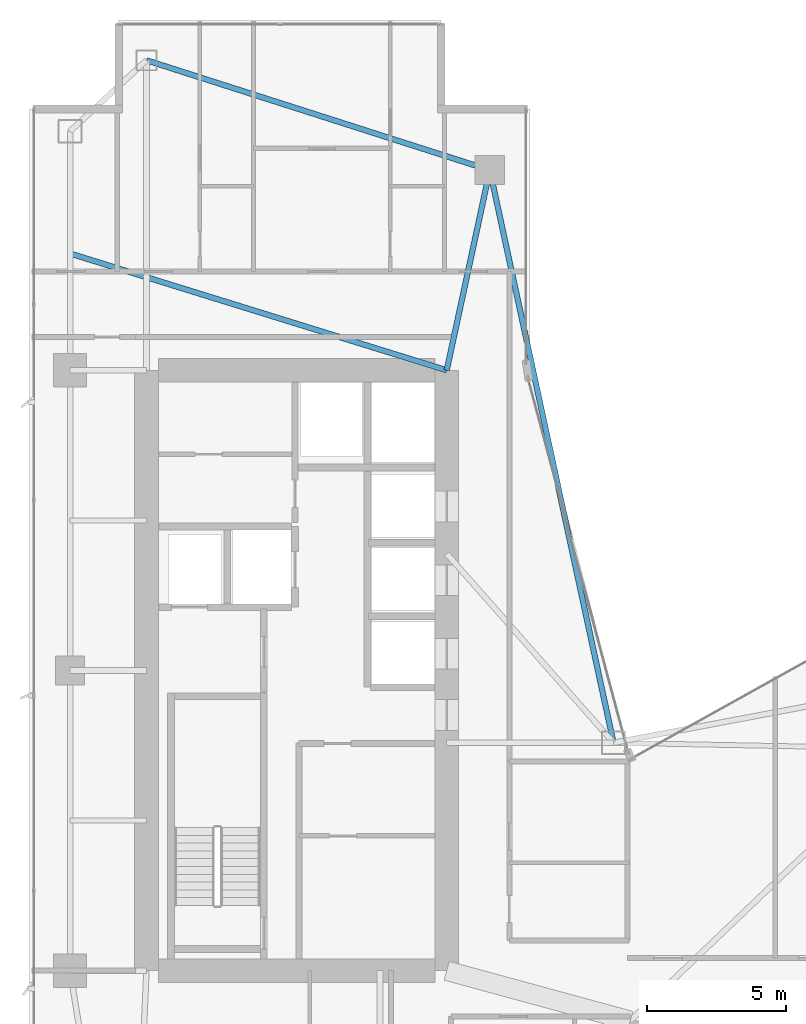
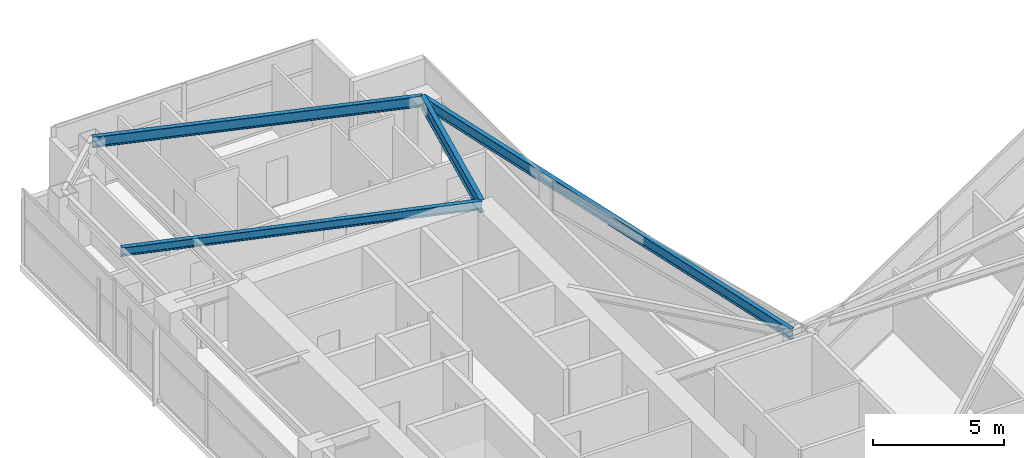
# One storey, part 17 of 28: 4 beams.
"""IFC4 building model written with IfcOpenShell, lengths in metres."""

from ifc_helpers import new_model, si_unit, direction, frame, origin, origin_2d, place, context, subcontext, project, spatial, i_section, extrude, material, material_profile, profile_set, type_object, element, save


model = new_model("IFC4")

# Units and contexts
model_context = context("Model", 3, precision=1e-05, world=origin(), true_north=direction((0.0, 1.0)))
body_context = subcontext(model_context, "Body", "Model", "MODEL_VIEW")
ifc_project = project(units=[si_unit("LENGTHUNIT", "METRE"), si_unit("AREAUNIT", "SQUARE_METRE"), si_unit("VOLUMEUNIT", "CUBIC_METRE"), si_unit("PLANEANGLEUNIT", "RADIAN"), si_unit("MASSUNIT", "GRAM", prefix="KILO")], contexts=[model_context])

# Site, building, storey
site_placement = place(None, origin())
site = spatial("IfcSite", under=ifc_project, at=site_placement, CompositionType="ELEMENT")
building_placement = place(site_placement, origin())
building = spatial("IfcBuilding", under=site, at=building_placement, Name="Calvorn Quay Hotel", CompositionType="ELEMENT")
storey_placement = place(building_placement, frame((0.0, 0.0, 182.699951171875)))
storey = spatial("IfcBuildingStorey", under=building, at=storey_placement, Name="L45", CompositionType="ELEMENT", Elevation=182.699951171875)

# Beams
ifc_material_1 = material(Name="Steel Q355B", Category="steel")
ifc_material_profile_1 = material_profile(ifc_material_1, i_section(OverallWidth=0.199951171875, OverallDepth=0.60009765625, WebThickness=0.010986328125, FlangeThickness=0.01708984375, FilletRadius=0.01806640625, at=origin_2d()), Name="HN600x200x11x17")
ifc_profile_set_1 = profile_set([ifc_material_profile_1], Name="Steel Q355B")
beam_type_1 = type_object("IfcBeamType", Name="BM-GIRD-TYP", PredefinedType="BEAM", material=ifc_profile_set_1)
beam_1_placement = place(storey_placement, frame((16.550048828125, 45.60009765625, 3.219970703125), z_axis=(-0.210457140491, -0.97760308511, 0.0), x_axis=(0.97760308511, -0.210457140491, 0.0)))
element("IfcBeam", 1, at=beam_1_placement, inside=storey, type_object=beam_type_1, Name="Beam BG-L45-W6", PredefinedType="BEAM", context=body_context, shape_type="SweptSolid", body=[
    extrude(i_section(OverallWidth=0.199951171875, OverallDepth=0.60009765625, WebThickness=0.010986328125, FlangeThickness=0.01708984375, FilletRadius=0.01806640625, at=origin_2d()), origin(), (0.0, 0.0, 1.0), 7.365234375),
])
ifc_material_2 = material(Name="Steel Q355B", Category="steel")
ifc_material_profile_2 = material_profile(ifc_material_2, i_section(OverallWidth=0.199951171875, OverallDepth=0.39990234375, WebThickness=0.008056640625, FlangeThickness=0.012939453125, FilletRadius=0.01611328125, at=origin_2d()), Name="HN400x200x8x13")
ifc_profile_set_2 = profile_set([ifc_material_profile_2], Name="Steel Q355B")
beam_type_2 = type_object("IfcBeamType", Name="BM-JOIST-TYP", PredefinedType="JOIST", material=ifc_profile_set_2)
beam_2_placement = place(storey_placement, frame((1.449951171875, 42.60009765625, 3.320068359375), z_axis=(0.955163702122, -0.296078202759, 0.0), x_axis=(0.296078202759, 0.955163702122, 0.0)))
element("IfcBeam", 2, at=beam_2_placement, inside=storey, type_object=beam_type_2, Name="Beam BJ-L45-W2", PredefinedType="JOIST", context=body_context, shape_type="SweptSolid", body=[
    extrude(i_section(OverallWidth=0.199951171875, OverallDepth=0.39990234375, WebThickness=0.008056640625, FlangeThickness=0.012939453125, FilletRadius=0.01611328125, at=origin_2d()), origin(), (0.0, 0.0, 1.0), 14.18603515625),
])
ifc_material_3 = material(Name="Steel Q355B", Category="steel")
ifc_material_profile_3 = material_profile(ifc_material_3, i_section(OverallWidth=0.199951171875, OverallDepth=0.5, WebThickness=0.010009765625, FlangeThickness=0.01611328125, FilletRadius=0.01611328125, at=origin_2d()), Name="HN500x200x10x16")
ifc_profile_set_3 = profile_set([ifc_material_profile_3], Name="Steel Q355B")
beam_type_3 = type_object("IfcBeamType", Name="BM-SPANDREL-Z1", PredefinedType="SPANDREL", material=ifc_profile_set_3)
beam_3_placement = place(storey_placement, frame((4.199951171875, 49.550048828125, 3.27001953125), z_axis=(0.952470702374, -0.304630203885, 0.0), x_axis=(0.304630203885, 0.952470702374, 0.0)))
element("IfcBeam", 3, at=beam_3_placement, inside=storey, type_object=beam_type_3, Name="Beam BSP-L45-W6", PredefinedType="SPANDREL", context=body_context, shape_type="SweptSolid", body=[
    extrude(i_section(OverallWidth=0.199951171875, OverallDepth=0.5, WebThickness=0.010009765625, FlangeThickness=0.01611328125, FilletRadius=0.01611328125, at=origin_2d()), origin(), (0.0, 0.0, 1.0), 12.96630859375),
])
beam_4_placement = place(storey_placement, frame((16.550048828125, 45.60009765625, 3.27001953125), z_axis=(0.211145848376, -0.977454567084, 0.0), x_axis=(0.977454567084, 0.211145848376, 0.0)))
element("IfcBeam", 4, at=beam_4_placement, inside=storey, type_object=beam_type_3, Name="Beam BSP-L45-W7", PredefinedType="SPANDREL", context=body_context, shape_type="SweptSolid", body=[
    extrude(i_section(OverallWidth=0.199951171875, OverallDepth=0.5, WebThickness=0.010009765625, FlangeThickness=0.01611328125, FilletRadius=0.01611328125, at=origin_2d()), origin(), (0.0, 0.0, 1.0), 21.0751953125),
])

save(model, "model.ifc")
